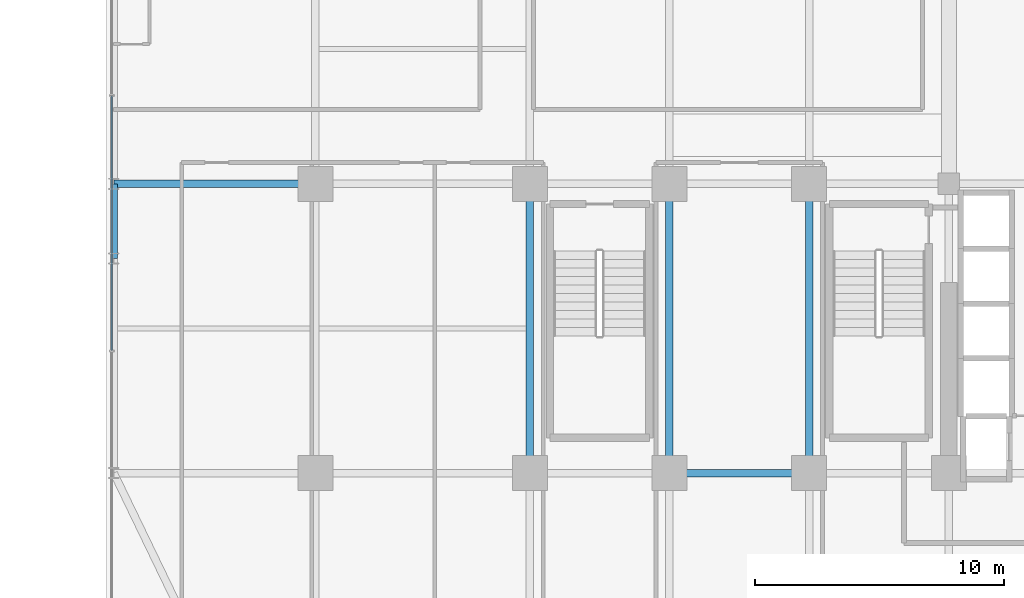
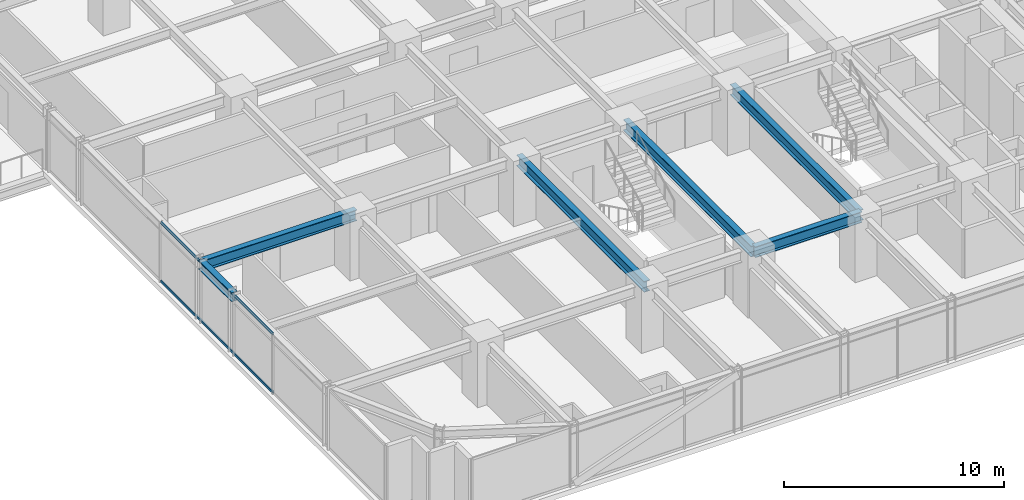
# One storey, part 9 of 36: 6 beams, 2 members, 1 element without a shape of its own.
"""IFC4 building model written with IfcOpenShell, lengths in metres."""

from ifc_helpers import new_model, si_unit, direction, frame, origin, origin_2d, place, context, subcontext, project, spatial, hollow_rectangle, i_section, extrude, source, transform, mapped, material, material_profile, profile_set, type_object, element, aggregate, save


model = new_model("IFC4")

# Units and contexts
model_context = context("Model", 3, precision=1e-05, world=origin(), true_north=direction((0.0, 1.0)))
body_context = subcontext(model_context, "Body", "Model", "MODEL_VIEW")
ifc_project = project(units=[si_unit("LENGTHUNIT", "METRE"), si_unit("AREAUNIT", "SQUARE_METRE"), si_unit("VOLUMEUNIT", "CUBIC_METRE"), si_unit("PLANEANGLEUNIT", "RADIAN"), si_unit("MASSUNIT", "GRAM", prefix="KILO")], contexts=[model_context])

# Site, building, storey
site_placement = place(None, origin())
site = spatial("IfcSite", under=ifc_project, at=site_placement, CompositionType="ELEMENT")
building_placement = place(site_placement, origin())
building = spatial("IfcBuilding", under=site, at=building_placement, Name="Nahalor Promenade Grand Hotel", CompositionType="ELEMENT")
storey_placement = place(building_placement, frame((0.0, 0.0, 76.199951171875)))
storey = spatial("IfcBuildingStorey", under=building, at=storey_placement, Name="L18", CompositionType="ELEMENT", Elevation=76.199951171875)

# Beams
ifc_material_1 = material(Name="Steel S355JR", Category="steel")
ifc_material_profile_1 = material_profile(ifc_material_1, i_section(OverallWidth=0.3, OverallDepth=0.6, WebThickness=0.0155, FlangeThickness=0.03, at=origin_2d()), Name="HEB 600")
ifc_profile_set_1 = profile_set([ifc_material_profile_1], Name="Steel S355JR")
beam_type_1 = type_object("IfcBeamType", Name="Beam-Girder-HEB600", PredefinedType="BEAM", material=ifc_profile_set_1)
shared_shape_1 = source(origin(), body_context, "Body", "SweptSolid", [
    extrude(i_section(OverallWidth=0.3, OverallDepth=0.6, WebThickness=0.0155, FlangeThickness=0.03, at=origin_2d()), origin(), (0.0, 0.0, 1.0), 5.60009765625),
])
beam_1_placement = place(storey_placement, frame((-2.800048828125, -17.0, 3.070068359375), z_axis=(1.0, 0.0, 0.0), x_axis=(0.0, 1.0, 0.0)))
element("IfcBeam", 1, at=beam_1_placement, inside=storey, type_object=beam_type_1, Name="BM-L18-GX-0-3", PredefinedType="BEAM", context=body_context, shape_type="MappedRepresentation", body=[
    mapped(shared_shape_1, transform((0.0, 0.0, 0.0), scale=1.0)),
])
shared_shape_2 = source(origin(), body_context, "Body", "SweptSolid", [
    extrude(i_section(OverallWidth=0.3, OverallDepth=0.6, WebThickness=0.0155, FlangeThickness=0.03, at=origin_2d()), origin(), (0.0, 0.0, 1.0), 11.60009765625),
])
for number, where, z_axis, x_axis, name in (
    (2, (-8.39990234375, -17.0, 3.070068359375), (0.0, 1.0, 0.0), (-1.0, 0.0, 0.0), "BM-L18-GY-1-1"),
    (3, (-2.800048828125, -17.0, 3.070068359375), (0.0, 1.0, 0.0), (-1.0, 0.0, 0.0), "BM-L18-GY-2-1"),
    (4, (2.800048828125, -17.0, 3.070068359375), (0.0, 1.0, 0.0), (-1.0, 0.0, 0.0), "BM-L18-GY-3-1"),
):
    element("IfcBeam", number, at=place(storey_placement, frame(where, z_axis=z_axis, x_axis=x_axis)), inside=storey, type_object=beam_type_1, Name=name, PredefinedType="BEAM", context=body_context, shape_type="MappedRepresentation", body=[
        mapped(shared_shape_2, transform((0.0, 0.0, 0.0), scale=1.0)),
    ])
ifc_material_profile_2 = material_profile(ifc_material_1, i_section(OverallWidth=0.3, OverallDepth=0.5, WebThickness=0.0145, FlangeThickness=0.028, at=origin_2d()), Name="HEB 500")
ifc_profile_set_2 = profile_set([ifc_material_profile_2], Name="Steel S355JR")
beam_type_2 = type_object("IfcBeamType", Name="Beam-Spandrel-HEB500", PredefinedType="SPANDREL", material=ifc_profile_set_2)
shared_shape_3 = source(origin(), body_context, "Body", "SweptSolid", [
    extrude(i_section(OverallWidth=0.3, OverallDepth=0.5, WebThickness=0.0145, FlangeThickness=0.028, at=origin_2d()), origin(), (0.0, 0.0, 1.0), 3.0),
])
beam_2_placement = place(storey_placement, frame((-25.080078125, -8.39990234375, 3.1201171875), z_axis=(0.0, 1.0, 0.0), x_axis=(-1.0, 0.0, 0.0)))
element("IfcBeam", 5, at=beam_2_placement, inside=storey, type_object=beam_type_2, Name="BM-L18-SP-W-1", PredefinedType="SPANDREL", context=body_context, shape_type="MappedRepresentation", body=[
    mapped(shared_shape_3, transform((0.0, 0.0, 0.0), scale=1.0)),
])
shared_shape_4 = source(origin(), body_context, "Body", "SweptSolid", [
    extrude(i_section(OverallWidth=0.3, OverallDepth=0.6, WebThickness=0.0155, FlangeThickness=0.03, at=origin_2d()), origin(), (0.0, 0.0, 1.0), 8.080078125),
])
beam_3_placement = place(storey_placement, frame((-25.080078125, -5.39990234375, 3.070068359375), z_axis=(1.0, 0.0, 0.0), x_axis=(0.0, 1.0, 0.0)))
element("IfcBeam", 6, at=beam_3_placement, inside=storey, type_object=beam_type_1, Name="BM-L18-GX-1-0", PredefinedType="BEAM", context=body_context, shape_type="MappedRepresentation", body=[
    mapped(shared_shape_4, transform((0.0, 0.0, 0.0), scale=1.0)),
])

# Curtain wall, members
ifc_material_2 = material(Name="Anodised Bronze Aluminium EN AW-6063 T6", Category="aluminium")
curtain_wall_type = type_object("IfcCurtainWallType", Name="CW2 Typical Hotel Flush Bronze Unitised Curtain Wall", PredefinedType="USERDEFINED", material=ifc_material_2)
curtain_wall_placement = place(storey_placement, origin())
curtain_wall = element("IfcCurtainWall", 7, at=curtain_wall_placement, inside=storey, type_object=curtain_wall_type, Name="L18 Curtain Wall CW-L18-W-1", ObjectType="UNITISED_CURTAIN_WALL", PredefinedType="USERDEFINED")
ifc_material_profile_3 = material_profile(ifc_material_2, hollow_rectangle(XDim=0.065, YDim=0.13, WallThickness=0.004, at=origin_2d()), Name="CWT 65x130x4")
ifc_profile_set_3 = profile_set([ifc_material_profile_3], Name="Anodised Bronze Aluminium EN AW-6063 T6")
member_type = type_object("IfcMemberType", Name="CWT2 Typical Bronze Transom 65x130", PredefinedType="USERDEFINED", material=ifc_profile_set_3)
shared_shape_5 = source(origin(), body_context, "Body", "SweptSolid", [
    extrude(hollow_rectangle(XDim=0.065, YDim=0.13, WallThickness=0.004, at=origin_2d()), origin(), (0.0, 0.0, 1.0), 10.1884765625),
])
member_1_placement = place(storey_placement, frame((-25.159912109375, -12.07421875, 0.06494140625), z_axis=(0.0, 1.0, 0.0), x_axis=(-1.0, 0.0, 0.0)))
member_1 = element("IfcMember", 8, at=member_1_placement, type_object=member_type, Name="CW-L18-W-1 Transom 1-0", ObjectType="TRANSOM", PredefinedType="USERDEFINED", context=body_context, shape_type="MappedRepresentation", body=[
    mapped(shared_shape_5, transform((0.0, 0.0, 0.0), scale=1.0)),
])
member_2_placement = place(storey_placement, frame((-25.159912109375, -12.07421875, 3.304931640625), z_axis=(0.0, 1.0, 0.0), x_axis=(-1.0, 0.0, 0.0)))
member_2 = element("IfcMember", 9, at=member_2_placement, type_object=member_type, Name="CW-L18-W-1 Transom 1-1", ObjectType="TRANSOM", PredefinedType="USERDEFINED", context=body_context, shape_type="MappedRepresentation", body=[
    mapped(shared_shape_5, transform((0.0, 0.0, 0.0), scale=1.0)),
])
aggregate(curtain_wall, [member_1, member_2])

save(model, "model.ifc")
